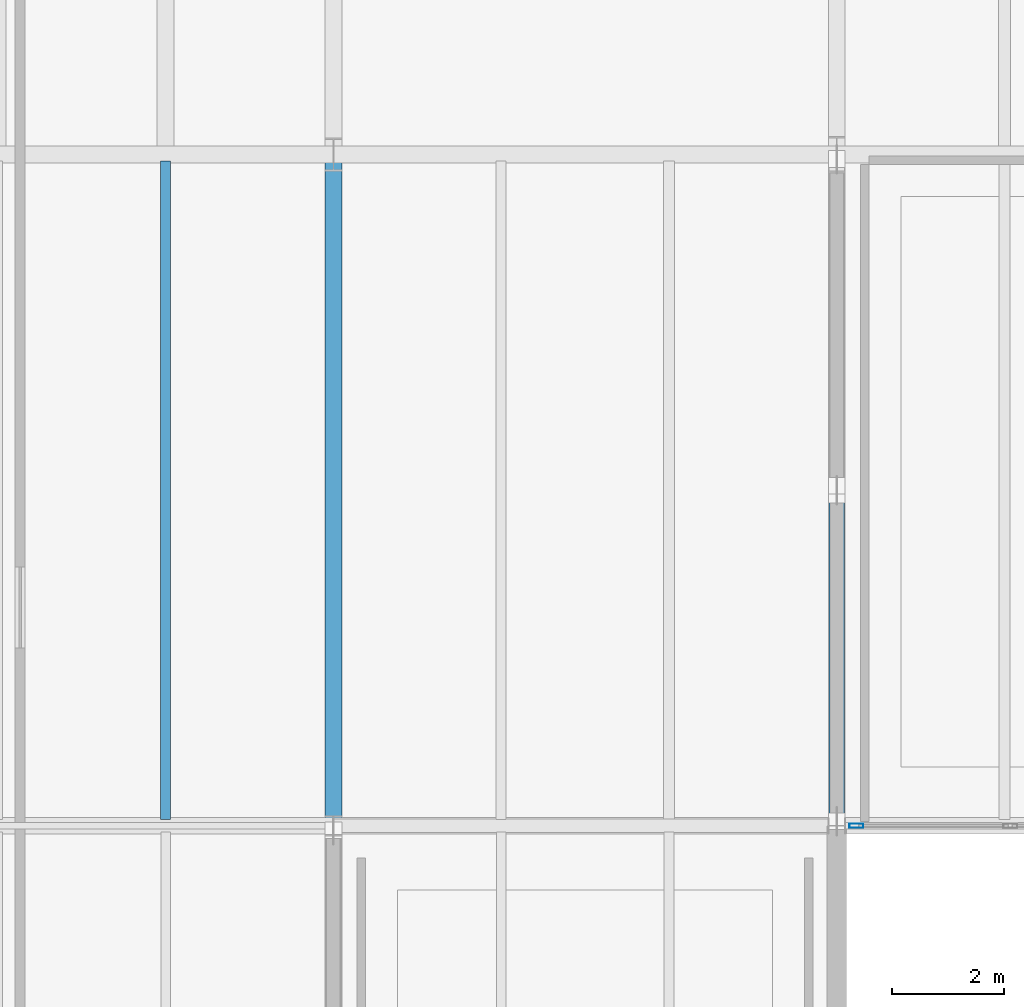
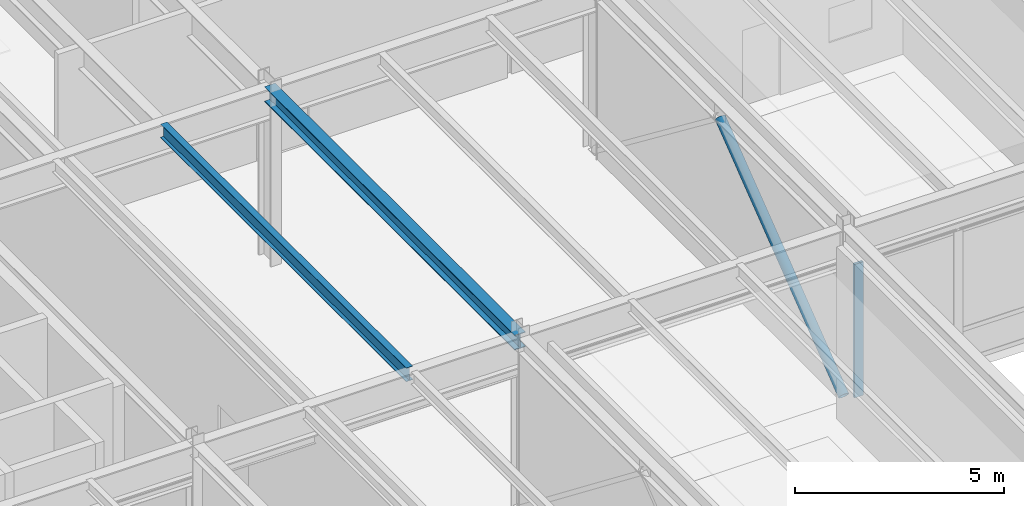
# One storey, part 78 of 143: 2 beams, 2 members, 1 element without a shape of its own.
"""IFC4 building model written with IfcOpenShell, lengths in metres."""

from ifc_helpers import new_model, si_unit, direction, frame, origin, origin_2d, place, context, subcontext, project, spatial, hollow_rectangle, hollow_circle, i_section, extrude, material, layer, layer_set, material_profile, profile_set, type_object, element, aggregate, save


model = new_model("IFC4")

# Units and contexts
model_context = context("Model", 3, precision=1e-05, world=origin(), true_north=direction((0.0, 1.0)))
body_context = subcontext(model_context, "Body", "Model", "MODEL_VIEW")
ifc_project = project(units=[si_unit("LENGTHUNIT", "METRE"), si_unit("AREAUNIT", "SQUARE_METRE"), si_unit("VOLUMEUNIT", "CUBIC_METRE"), si_unit("PLANEANGLEUNIT", "RADIAN"), si_unit("MASSUNIT", "GRAM", prefix="KILO")], contexts=[model_context])

# Site, building, storey
site_placement = place(None, origin())
site = spatial("IfcSite", under=ifc_project, at=site_placement, CompositionType="ELEMENT")
building_placement = place(site_placement, origin())
building = spatial("IfcBuilding", under=site, at=building_placement, Name="Montelvaro Courts of Justice", CompositionType="ELEMENT")
storey_placement = place(building_placement, origin())
storey = spatial("IfcBuildingStorey", under=building, at=storey_placement, Name="L00", CompositionType="ELEMENT", Elevation=0.0)

# Beams
ifc_material_1 = material(Name="Steel S355", Category="steel")
ifc_material_profile_1 = material_profile(ifc_material_1, i_section(OverallWidth=0.300048828125, OverallDepth=0.43994140625, WebThickness=0.011474609375, FlangeThickness=0.02099609375, at=origin_2d()), Name="HEA 450")
ifc_profile_set_1 = profile_set([ifc_material_profile_1], Name="Steel S355")
beam_type_1 = type_object("IfcBeamType", Name="Beam_HEA450", PredefinedType="USERDEFINED", material=ifc_profile_set_1)
beam_1_placement = place(storey_placement, frame((117.0, 66.0, 4.8798828125), z_axis=(0.0, 1.0, 0.0), x_axis=(-1.0, 0.0, 0.0)))
element("IfcBeam", 1, at=beam_1_placement, inside=storey, type_object=beam_type_1, Name="Beam B-18 L00", ObjectType="GIRDER", PredefinedType="USERDEFINED", context=body_context, shape_type="SweptSolid", body=[
    extrude(i_section(OverallWidth=0.300048828125, OverallDepth=0.43994140625, WebThickness=0.011474609375, FlangeThickness=0.02099609375, at=origin_2d()), origin(), (0.0, 0.0, 1.0), 12.0),
])
ifc_material_profile_2 = material_profile(ifc_material_1, i_section(OverallWidth=0.179931640625, OverallDepth=0.39990234375, WebThickness=0.008544921875, FlangeThickness=0.013427734375, at=origin_2d()), Name="IPE 400")
ifc_profile_set_2 = profile_set([ifc_material_profile_2], Name="Steel S355")
beam_type_2 = type_object("IfcBeamType", Name="Beam_IPE400", PredefinedType="BEAM", material=ifc_profile_set_2)
beam_2_placement = place(storey_placement, frame((114.0, 66.110107421875, 4.89990234375), z_axis=(0.0, 1.0, 0.0), x_axis=(-1.0, 0.0, 0.0)))
element("IfcBeam", 2, at=beam_2_placement, inside=storey, type_object=beam_type_2, Name="Beam B-08 L00", PredefinedType="BEAM", context=body_context, shape_type="SweptSolid", body=[
    extrude(i_section(OverallWidth=0.179931640625, OverallDepth=0.39990234375, WebThickness=0.008544921875, FlangeThickness=0.013427734375, at=origin_2d()), origin(), (0.0, 0.0, 1.0), 11.77978515625),
])

# Curtain wall, member
ifc_material_2 = material(Name="Anodised aluminium EN AW-6063", Category="aluminium")
ifc_layer = layer(ifc_material_2, 0.159912109375)
ifc_layer_set = layer_set([ifc_layer], Name="Anodised aluminium EN AW-6063")
curtain_wall_type = type_object("IfcCurtainWallType", Name="CurtainWall_05_837x508", PredefinedType="USERDEFINED", material=ifc_layer_set)
curtain_wall_placement = place(storey_placement, origin())
curtain_wall = element("IfcCurtainWall", 3, at=curtain_wall_placement, inside=storey, type_object=curtain_wall_type, Name="Curtain Wall CW-05 (L00)", ObjectType="CURTAIN WALL", PredefinedType="USERDEFINED")
ifc_material_profile_3 = material_profile(ifc_material_2, hollow_rectangle(XDim=0.074951171875, YDim=0.25, WallThickness=0.005615234375, at=origin_2d()), Name="ALU-M 75x250")
ifc_profile_set_3 = profile_set([ifc_material_profile_3], Name="Anodised aluminium EN AW-6063")
member_type_1 = type_object("IfcMemberType", Name="CurtainWall_Mullion_75x250", PredefinedType="MULLION", material=ifc_profile_set_3)
member_1_placement = place(storey_placement, frame((126.3525390625, 66.0, 0.0), z_axis=(0.0, 0.0, 1.0), x_axis=(0.0, 1.0, 0.0)))
member_1 = element("IfcMember", 4, at=member_1_placement, type_object=member_type_1, Name="CW-05 mullion 1", PredefinedType="MULLION", context=body_context, shape_type="SweptSolid", body=[
    extrude(hollow_rectangle(XDim=0.074951171875, YDim=0.25, WallThickness=0.005615234375, at=origin_2d()), origin(), (0.0, 0.0, 1.0), 3.905029296875),
])
aggregate(curtain_wall, [member_1])

# Member
ifc_material_profile_4 = material_profile(ifc_material_1, hollow_circle(Radius=0.136474609375, WallThickness=0.012451171875, at=origin_2d()), Name="CHS 273x12.5")
ifc_profile_set_4 = profile_set([ifc_material_profile_4], Name="Steel S355")
member_type_2 = type_object("IfcMemberType", Name="Mem_CHS273_Brace", PredefinedType="BRACE", material=ifc_profile_set_4)
member_2_placement = place(storey_placement, frame((126.0, 66.080078125, 0.080078125), z_axis=(0.0, 0.792881619249, 0.609375695164), x_axis=(-1.0, 0.0, 0.0)))
element("IfcMember", 5, at=member_2_placement, inside=storey, type_object=member_type_2, Name="Lateral Braced Frame CBF3 Diagonal 1 (L00)", PredefinedType="BRACE", context=body_context, shape_type="SweptSolid", body=[
    extrude(hollow_circle(Radius=0.136474609375, WallThickness=0.012451171875, at=origin_2d()), origin(), (0.0, 0.0, 1.0), 7.46630859375),
])

save(model, "model.ifc")
